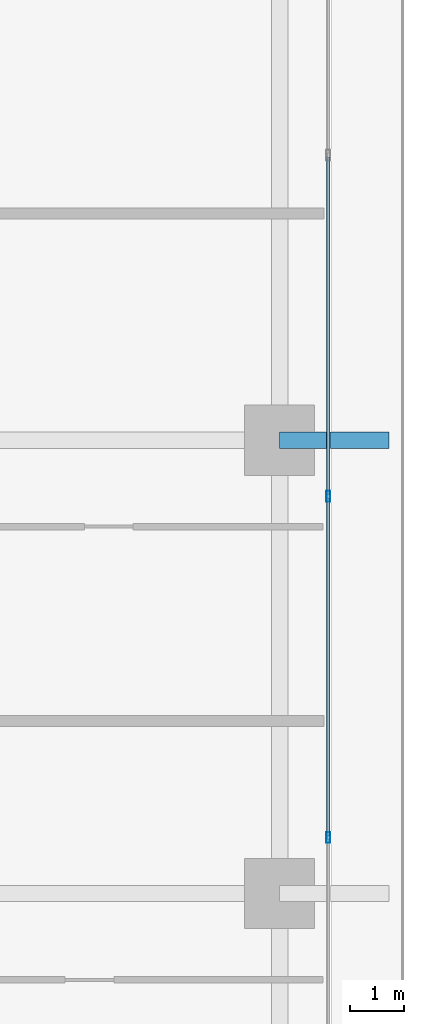
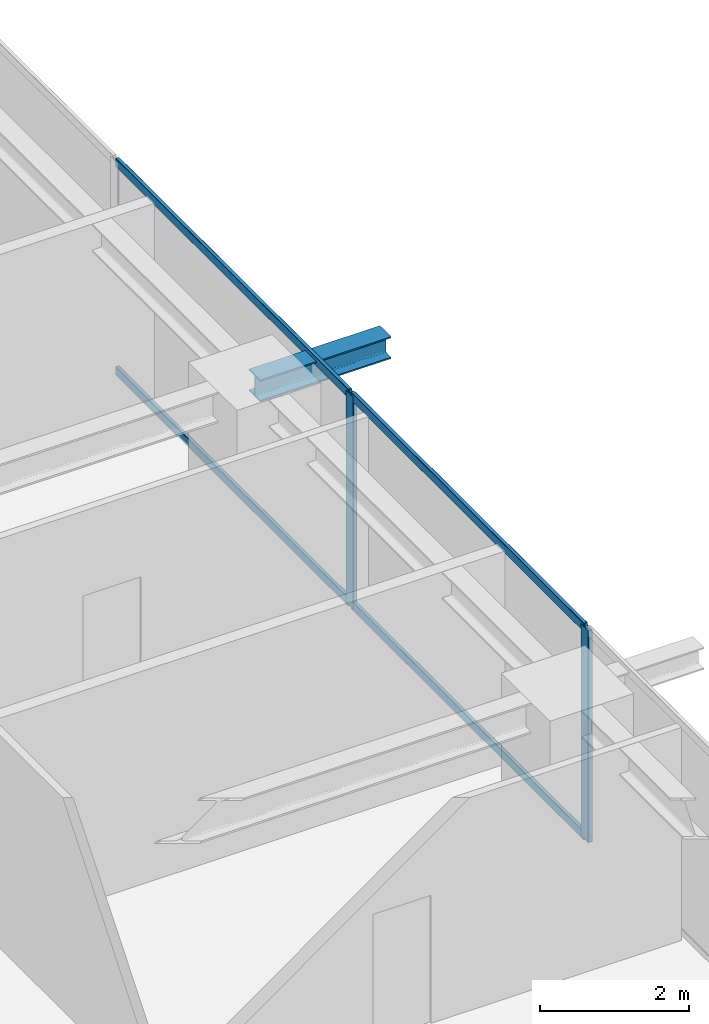
# One storey, part 16 of 38: 6 members, 1 beam, 1 element without a shape of its own.
"""IFC4 building model written with IfcOpenShell, lengths in metres."""

from ifc_helpers import new_model, si_unit, direction, frame, origin, origin_2d, place, context, subcontext, project, spatial, hollow_rectangle, i_section, extrude, source, transform, mapped, material, layer, layer_set, material_profile, profile_set, type_object, element, aggregate, save


model = new_model("IFC4")

# Units and contexts
model_context = context("Model", 3, precision=1e-05, world=origin(), true_north=direction((0.0, 1.0)))
body_context = subcontext(model_context, "Body", "Model", "MODEL_VIEW")
ifc_project = project(units=[si_unit("LENGTHUNIT", "METRE"), si_unit("AREAUNIT", "SQUARE_METRE"), si_unit("VOLUMEUNIT", "CUBIC_METRE"), si_unit("PLANEANGLEUNIT", "RADIAN"), si_unit("MASSUNIT", "GRAM", prefix="KILO")], contexts=[model_context])

# Site, building, storey
site_placement = place(None, origin())
site = spatial("IfcSite", under=ifc_project, at=site_placement, CompositionType="ELEMENT")
building_placement = place(site_placement, origin())
building = spatial("IfcBuilding", under=site, at=building_placement, Name="Serunith Strait Residences", CompositionType="ELEMENT")
storey_placement = place(building_placement, frame((0.0, 0.0, 120.14990234375)))
storey = spatial("IfcBuildingStorey", under=building, at=storey_placement, Name="L29", CompositionType="ELEMENT", Elevation=120.14990234375)

# Beam
ifc_material_1 = material(Name="Steel S355J2", Category="steel")
ifc_material_profile_1 = material_profile(ifc_material_1, i_section(OverallWidth=0.300048828125, OverallDepth=0.360107421875, WebThickness=0.012451171875, FlangeThickness=0.0224609375, FilletRadius=0.027099609375, at=origin_2d()), Name="HEB 360")
ifc_profile_set_1 = profile_set([ifc_material_profile_1], Name="Steel S355J2")
beam_type = type_object("IfcBeamType", Name="BM-HEB360", PredefinedType="BEAM", material=ifc_profile_set_1)
shared_shape_1 = source(origin(), body_context, "Body", "SweptSolid", [
    extrude(i_section(OverallWidth=0.300048828125, OverallDepth=0.360107421875, WebThickness=0.012451171875, FlangeThickness=0.0224609375, FilletRadius=0.027099609375, at=origin_2d()), origin(), (0.0, 0.0, 1.0), 2.02978515625),
])
beam_placement = place(storey_placement, frame((56.10009765625, 29.39990234375, 3.277099609375), z_axis=(1.0, 0.0, 0.0), x_axis=(0.0, 1.0, 0.0)))
element("IfcBeam", 1, at=beam_placement, inside=storey, type_object=beam_type, Name="L30 Cantilevered Balcony Rib TC-E3", PredefinedType="BEAM", context=body_context, shape_type="MappedRepresentation", body=[
    mapped(shared_shape_1, transform((0.0, 0.0, 0.0), scale=1.0)),
])

# Curtain wall, members
ifc_material_2 = material(Name="Pale-Champagne Anodised Aluminium", Category="aluminium")
ifc_layer = layer(ifc_material_2, 0.199951171875, Name="Pale-Champagne Anodised Aluminium")
ifc_layer_set = layer_set([ifc_layer], Name="Pale-Champagne Anodised Aluminium")
curtain_wall_type = type_object("IfcCurtainWallType", Name="CW-SYS2", PredefinedType="NOTDEFINED", material=ifc_layer_set)
curtain_wall_placement = place(storey_placement, origin())
curtain_wall = element("IfcCurtainWall", 2, at=curtain_wall_placement, inside=storey, type_object=curtain_wall_type, Name="L29 E Unitised Fritted Curtain Wall", PredefinedType="NOTDEFINED")
ifc_material_profile_2 = material_profile(ifc_material_2, hollow_rectangle(XDim=0.070068359375, YDim=0.199951171875, WallThickness=0.00390625, InnerFilletRadius=0.006103515625, OuterFilletRadius=0.010009765625, at=origin_2d()), Name="ALU 200x70x4")
ifc_profile_set_2 = profile_set([ifc_material_profile_2], Name="Pale-Champagne Anodised Aluminium")
member_type_1 = type_object("IfcMemberType", Name="CW-SYS2-MULL", PredefinedType="MULLION", material=ifc_profile_set_2)
shared_shape_2 = source(origin(), body_context, "Body", "SweptSolid", [
    extrude(hollow_rectangle(XDim=0.070068359375, YDim=0.199951171875, WallThickness=0.00390625, InnerFilletRadius=0.006103515625, OuterFilletRadius=0.010009765625, at=origin_2d()), origin(), (0.0, 0.0, 1.0), 3.47509765625),
])
member_1_placement = place(storey_placement, frame((57.0, 22.0400390625, 0.0), z_axis=(0.0, 0.0, 1.0), x_axis=(-1.0, 0.0, 0.0)))
member_1 = element("IfcMember", 3, at=member_1_placement, type_object=member_type_1, Name="CW-2 mullion 3", PredefinedType="MULLION", context=body_context, shape_type="MappedRepresentation", body=[
    mapped(shared_shape_2, transform((0.0, 0.0, 0.0), scale=1.0)),
])
member_2_placement = place(storey_placement, frame((57.0, 28.360107421875, 0.0), z_axis=(0.0, 0.0, 1.0), x_axis=(-1.0, 0.0, 0.0)))
member_2 = element("IfcMember", 4, at=member_2_placement, type_object=member_type_1, Name="CW-2 mullion 4", PredefinedType="MULLION", context=body_context, shape_type="MappedRepresentation", body=[
    mapped(shared_shape_2, transform((0.0, 0.0, 0.0), scale=1.0)),
])
ifc_material_profile_3 = material_profile(ifc_material_2, hollow_rectangle(XDim=0.06005859375, YDim=0.139892578125, WallThickness=0.00341796875, InnerFilletRadius=0.00537109375, OuterFilletRadius=0.0087890625, at=origin_2d()), Name="ALU 140x60x3.5")
ifc_profile_set_3 = profile_set([ifc_material_profile_3], Name="Pale-Champagne Anodised Aluminium")
member_type_2 = type_object("IfcMemberType", Name="CW-SYS2-TRAN", PredefinedType="USERDEFINED", material=ifc_profile_set_3)
shared_shape_3 = source(origin(), body_context, "Body", "SweptSolid", [
    extrude(hollow_rectangle(XDim=0.06005859375, YDim=0.139892578125, WallThickness=0.00341796875, InnerFilletRadius=0.00537109375, OuterFilletRadius=0.0087890625, at=origin_2d()), origin(), (0.0, 0.0, 1.0), 6.25),
])
member_3_placement = place(storey_placement, frame((57.0, 22.074951171875, 0.030029296875), z_axis=(0.0, 1.0, 0.0), x_axis=(-1.0, 0.0, 0.0)))
member_3 = element("IfcMember", 5, at=member_3_placement, type_object=member_type_2, Name="CW-2 transom 3.1", ObjectType="TRANSOM", PredefinedType="USERDEFINED", context=body_context, shape_type="MappedRepresentation", body=[
    mapped(shared_shape_3, transform((0.0, 0.0, 0.0), scale=1.0)),
])
member_4_placement = place(storey_placement, frame((57.0, 22.074951171875, 3.445068359375), z_axis=(0.0, 1.0, 0.0), x_axis=(-1.0, 0.0, 0.0)))
member_4 = element("IfcMember", 6, at=member_4_placement, type_object=member_type_2, Name="CW-2 transom 3.2", ObjectType="TRANSOM", PredefinedType="USERDEFINED", context=body_context, shape_type="MappedRepresentation", body=[
    mapped(shared_shape_3, transform((0.0, 0.0, 0.0), scale=1.0)),
])
member_5_placement = place(storey_placement, frame((57.0, 28.39501953125, 0.030029296875), z_axis=(0.0, 1.0, 0.0), x_axis=(-1.0, 0.0, 0.0)))
member_5 = element("IfcMember", 7, at=member_5_placement, type_object=member_type_2, Name="CW-2 transom 4.1", ObjectType="TRANSOM", PredefinedType="USERDEFINED", context=body_context, shape_type="MappedRepresentation", body=[
    mapped(shared_shape_3, transform((0.0, 0.0, 0.0), scale=1.0)),
])
member_6_placement = place(storey_placement, frame((57.0, 28.39501953125, 3.445068359375), z_axis=(0.0, 1.0, 0.0), x_axis=(-1.0, 0.0, 0.0)))
member_6 = element("IfcMember", 8, at=member_6_placement, type_object=member_type_2, Name="CW-2 transom 4.2", ObjectType="TRANSOM", PredefinedType="USERDEFINED", context=body_context, shape_type="MappedRepresentation", body=[
    mapped(shared_shape_3, transform((0.0, 0.0, 0.0), scale=1.0)),
])
aggregate(curtain_wall, [member_1, member_2, member_3, member_4, member_5, member_6])

save(model, "model.ifc")
